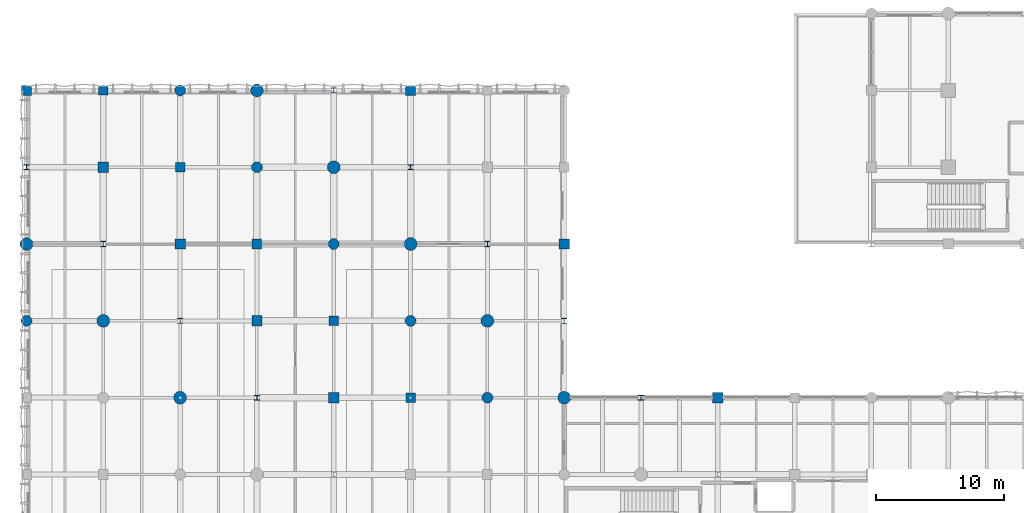
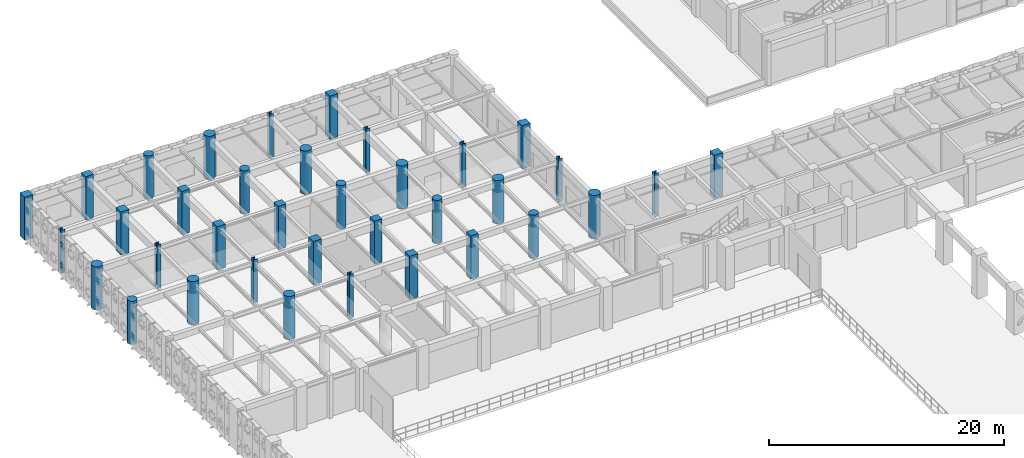
# One storey, part 9 of 133: 36 columns.
"""IFC4 building model written with IfcOpenShell, lengths in metres."""

from ifc_helpers import new_model, si_unit, direction, frame, origin, origin_2d, place, context, subcontext, project, spatial, rectangle, circle, i_section, extrude, material, material_profile, profile_set, type_object, element, save


model = new_model("IFC4")

# Units and contexts
model_context = context("Model", 3, precision=1e-05, world=origin(), true_north=direction((0.0, 1.0)))
body_context = subcontext(model_context, "Body", "Model", "MODEL_VIEW")
ifc_project = project(units=[si_unit("LENGTHUNIT", "METRE"), si_unit("AREAUNIT", "SQUARE_METRE"), si_unit("VOLUMEUNIT", "CUBIC_METRE"), si_unit("PLANEANGLEUNIT", "RADIAN"), si_unit("MASSUNIT", "GRAM", prefix="KILO"), si_unit("THERMODYNAMICTEMPERATUREUNIT", "KELVIN"), si_unit("POWERUNIT", "WATT")], contexts=[model_context])

# Site, building, storey
site_placement = place(None, origin())
site = spatial("IfcSite", under=ifc_project, at=site_placement, CompositionType="ELEMENT")
building_placement = place(site_placement, origin())
building = spatial("IfcBuilding", under=site, at=building_placement, Name="Phaisarnlok Congress Hotel", CompositionType="ELEMENT")
storey_placement = place(building_placement, frame((0.0, 0.0, 6.0)))
storey = spatial("IfcBuildingStorey", under=building, at=storey_placement, Name="L01", CompositionType="ELEMENT", Elevation=6.0)

# Columns
ifc_material_1 = material(Name="Concrete C50/60", Category="concrete")
ifc_material_profile_1 = material_profile(ifc_material_1, rectangle(XDim=0.75, YDim=0.75, at=origin_2d()), Name="RC 750x750")
ifc_profile_set_1 = profile_set([ifc_material_profile_1], Name="Concrete C50/60")
column_type_1 = type_object("IfcColumnType", Name="COL-RC-750", PredefinedType="COLUMN", material=ifc_profile_set_1)
for number, where, z_axis, x_axis, name in (
    (1, (6.0, 120.0, 0.0), (0.0, 0.0, 1.0), (1.0, 0.0, 0.0), "Column C-06 (L01)"),
    (2, (12.0, 114.0, 0.0), (0.0, 0.0, 1.0), (1.0, 0.0, 0.0), "Column C-06 (L01)"),
    (3, (18.0, 108.0, 0.0), (0.0, 0.0, 1.0), (1.0, 0.0, 0.0), "Column C-06 (L01)"),
    (4, (24.0, 102.0, 0.0), (0.0, 0.0, 1.0), (1.0, 0.0, 0.0), "Column C-06 (L01)"),
    (5, (30.0, 96.0, 0.0), (0.0, 0.0, 1.0), (1.0, 0.0, 0.0), "Column C-06 (L01)"),
):
    element("IfcColumn", number, at=place(storey_placement, frame(where, z_axis=z_axis, x_axis=x_axis)), inside=storey, type_object=column_type_1, Name=name, PredefinedType="COLUMN", context=body_context, shape_type="SweptSolid", body=[
        extrude(rectangle(XDim=0.75, YDim=0.75, at=origin_2d()), origin(), (0.0, 0.0, 1.0), 4.5),
    ])
ifc_material_profile_2 = material_profile(ifc_material_1, rectangle(XDim=0.800048828125, YDim=0.800048828125, at=origin_2d()), Name="RC 800x800")
ifc_profile_set_2 = profile_set([ifc_material_profile_2], Name="Concrete C50/60")
column_type_2 = type_object("IfcColumnType", Name="COL-RC-800", PredefinedType="COLUMN", material=ifc_profile_set_2)
for number, where, z_axis, x_axis, name in (
    (6, (6.0, 114.0, 0.0), (0.0, 0.0, 1.0), (1.0, 0.0, 0.0), "Column C-07 (L01)"),
    (7, (12.0, 108.0, 0.0), (0.0, 0.0, 1.0), (1.0, 0.0, 0.0), "Column C-07 (L01)"),
    (8, (18.0, 102.0, 0.0), (0.0, 0.0, 1.0), (1.0, 0.0, 0.0), "Column C-07 (L01)"),
    (9, (24.0, 96.0, 0.0), (0.0, 0.0, 1.0), (1.0, 0.0, 0.0), "Column C-07 (L01)"),
    (10, (30.0, 120.0, 0.0), (0.0, 0.0, 1.0), (1.0, 0.0, 0.0), "Column C-07 (L01)"),
    (11, (42.0, 108.0, 0.0), (0.0, 0.0, 1.0), (1.0, 0.0, 0.0), "Column C-07 (L01)"),
    (12, (54.0, 96.0, 0.0), (0.0, 0.0, 1.0), (1.0, 0.0, 0.0), "Column C-07 (L01)"),
):
    element("IfcColumn", number, at=place(storey_placement, frame(where, z_axis=z_axis, x_axis=x_axis)), inside=storey, type_object=column_type_2, Name=name, PredefinedType="COLUMN", context=body_context, shape_type="SweptSolid", body=[
        extrude(rectangle(XDim=0.800048828125, YDim=0.800048828125, at=origin_2d()), origin(), (0.0, 0.0, 1.0), 4.5),
    ])
ifc_material_profile_3 = material_profile(ifc_material_1, rectangle(XDim=0.800048828125, YDim=0.800048828125, at=origin_2d()), Name="RC 800x800")
ifc_profile_set_3 = profile_set([ifc_material_profile_3], Name="Concrete C50/60")
column_type_3 = type_object("IfcColumnType", Name="COL-RC-800-EXT", PredefinedType="COLUMN", material=ifc_profile_set_3)
column_1_placement = place(storey_placement, frame((0.0, 120.0, 0.0), z_axis=(0.0, 0.0, 1.0), x_axis=(1.0, 0.0, 0.0)))
element("IfcColumn", 13, at=column_1_placement, inside=storey, type_object=column_type_3, Name="Column C-07E (L01)", PredefinedType="COLUMN", context=body_context, shape_type="SweptSolid", body=[
    extrude(rectangle(XDim=0.800048828125, YDim=0.800048828125, at=origin_2d()), origin(), (0.0, 0.0, 1.0), 4.5),
])
ifc_material_profile_4 = material_profile(ifc_material_1, circle(Radius=0.5, at=origin_2d()), Name="RCC D1000")
ifc_profile_set_4 = profile_set([ifc_material_profile_4], Name="Concrete C50/60")
column_type_4 = type_object("IfcColumnType", Name="COL-RCC-1000", PredefinedType="COLUMN", material=ifc_profile_set_4)
for number, where, z_axis, x_axis, name in (
    (14, (6.0, 102.0, 0.0), (0.0, 0.0, 1.0), (1.0, 0.0, 0.0), "Column C-15 (L01)"),
    (15, (12.0, 96.0, 0.0), (0.0, 0.0, 1.0), (1.0, 0.0, 0.0), "Column C-15 (L01)"),
    (16, (18.0, 120.0, 0.0), (0.0, 0.0, 1.0), (1.0, 0.0, 0.0), "Column C-15 (L01)"),
    (17, (24.0, 114.0, 0.0), (0.0, 0.0, 1.0), (1.0, 0.0, 0.0), "Column C-15 (L01)"),
    (18, (30.0, 108.0, 0.0), (0.0, 0.0, 1.0), (1.0, 0.0, 0.0), "Column C-15 (L01)"),
    (19, (36.0, 102.0, 0.0), (0.0, 0.0, 1.0), (1.0, 0.0, 0.0), "Column C-15 (L01)"),
    (20, (42.0, 96.0, 0.0), (0.0, 0.0, 1.0), (1.0, 0.0, 0.0), "Column C-15 (L01)"),
):
    element("IfcColumn", number, at=place(storey_placement, frame(where, z_axis=z_axis, x_axis=x_axis)), inside=storey, type_object=column_type_4, Name=name, PredefinedType="COLUMN", context=body_context, shape_type="SweptSolid", body=[
        extrude(circle(Radius=0.5, at=origin_2d()), origin(), (0.0, 0.0, 1.0), 4.5),
    ])
ifc_material_profile_5 = material_profile(ifc_material_1, circle(Radius=0.5, at=origin_2d()), Name="RCC D1000")
ifc_profile_set_5 = profile_set([ifc_material_profile_5], Name="Concrete C50/60")
column_type_5 = type_object("IfcColumnType", Name="COL-RCC-1000-EXT", PredefinedType="COLUMN", material=ifc_profile_set_5)
column_2_placement = place(storey_placement, frame((0.0, 108.0, 0.0), z_axis=(0.0, 0.0, 1.0), x_axis=(1.0, 0.0, 0.0)))
element("IfcColumn", 21, at=column_2_placement, inside=storey, type_object=column_type_5, Name="Column C-15E (L01)", PredefinedType="COLUMN", context=body_context, shape_type="SweptSolid", body=[
    extrude(circle(Radius=0.5, at=origin_2d()), origin(), (0.0, 0.0, 1.0), 4.5),
])
ifc_material_profile_6 = material_profile(ifc_material_1, circle(Radius=0.425048828125, at=origin_2d()), Name="RCC D850")
ifc_profile_set_6 = profile_set([ifc_material_profile_6], Name="Concrete C50/60")
column_type_6 = type_object("IfcColumnType", Name="COL-RCC-850", PredefinedType="COLUMN", material=ifc_profile_set_6)
for number, where, z_axis, x_axis, name in (
    (22, (12.0, 120.0, 0.0), (0.0, 0.0, 1.0), (1.0, 0.0, 0.0), "Column C-14 (L01)"),
    (23, (18.0, 114.0, 0.0), (0.0, 0.0, 1.0), (1.0, 0.0, 0.0), "Column C-14 (L01)"),
    (24, (24.0, 108.0, 0.0), (0.0, 0.0, 1.0), (1.0, 0.0, 0.0), "Column C-14 (L01)"),
    (25, (30.0, 102.0, 0.0), (0.0, 0.0, 1.0), (1.0, 0.0, 0.0), "Column C-14 (L01)"),
    (26, (36.0, 96.0, 0.0), (0.0, 0.0, 1.0), (1.0, 0.0, 0.0), "Column C-14 (L01)"),
):
    element("IfcColumn", number, at=place(storey_placement, frame(where, z_axis=z_axis, x_axis=x_axis)), inside=storey, type_object=column_type_6, Name=name, PredefinedType="COLUMN", context=body_context, shape_type="SweptSolid", body=[
        extrude(circle(Radius=0.425048828125, at=origin_2d()), origin(), (0.0, 0.0, 1.0), 4.5),
    ])
ifc_material_profile_7 = material_profile(ifc_material_1, circle(Radius=0.425048828125, at=origin_2d()), Name="RCC D850")
ifc_profile_set_7 = profile_set([ifc_material_profile_7], Name="Concrete C50/60")
column_type_7 = type_object("IfcColumnType", Name="COL-RCC-850-EXT", PredefinedType="COLUMN", material=ifc_profile_set_7)
column_3_placement = place(storey_placement, frame((0.0, 102.0, 0.0), z_axis=(0.0, 0.0, 1.0), x_axis=(1.0, 0.0, 0.0)))
element("IfcColumn", 27, at=column_3_placement, inside=storey, type_object=column_type_7, Name="Column C-14E (L01)", PredefinedType="COLUMN", context=body_context, shape_type="SweptSolid", body=[
    extrude(circle(Radius=0.425048828125, at=origin_2d()), origin(), (0.0, 0.0, 1.0), 4.5),
])
ifc_material_2 = material(Name="Steel S355", Category="steel")
ifc_material_profile_8 = material_profile(ifc_material_2, i_section(OverallWidth=0.40087890625, OverallDepth=0.39892578125, WebThickness=0.0185546875, FlangeThickness=0.030029296875, FilletRadius=0.014892578125, at=origin_2d()), Name="HD 400x314")
ifc_profile_set_8 = profile_set([ifc_material_profile_8], Name="Steel S355")
column_type_8 = type_object("IfcColumnType", Name="COL-STL-HD314", PredefinedType="COLUMN", material=ifc_profile_set_8)
for number, where, z_axis, x_axis, name in (
    (28, (6.0, 108.0, 0.0), (0.0, 0.0, 1.0), (1.0, 0.0, 0.0), "Column SC-04 (L01)"),
    (29, (12.0, 102.0, 0.0), (0.0, 0.0, 1.0), (1.0, 0.0, 0.0), "Column SC-04 (L01)"),
    (30, (18.0, 96.0, 0.0), (0.0, 0.0, 1.0), (1.0, 0.0, 0.0), "Column SC-04 (L01)"),
    (31, (24.0, 120.0, 0.0), (0.0, 0.0, 1.0), (1.0, 0.0, 0.0), "Column SC-04 (L01)"),
    (32, (30.0, 114.0, 0.0), (0.0, 0.0, 1.0), (1.0, 0.0, 0.0), "Column SC-04 (L01)"),
    (33, (36.0, 108.0, 0.0), (0.0, 0.0, 1.0), (1.0, 0.0, 0.0), "Column SC-04 (L01)"),
    (34, (42.0, 102.0, 0.0), (0.0, 0.0, 1.0), (1.0, 0.0, 0.0), "Column SC-04 (L01)"),
    (35, (48.0, 96.0, 0.0), (0.0, 0.0, 1.0), (1.0, 0.0, 0.0), "Column SC-04 (L01)"),
):
    element("IfcColumn", number, at=place(storey_placement, frame(where, z_axis=z_axis, x_axis=x_axis)), inside=storey, type_object=column_type_8, Name=name, PredefinedType="COLUMN", context=body_context, shape_type="SweptSolid", body=[
        extrude(i_section(OverallWidth=0.40087890625, OverallDepth=0.39892578125, WebThickness=0.0185546875, FlangeThickness=0.030029296875, FilletRadius=0.014892578125, at=origin_2d()), origin(), (0.0, 0.0, 1.0), 4.5),
    ])
ifc_material_profile_9 = material_profile(ifc_material_2, i_section(OverallWidth=0.40087890625, OverallDepth=0.39892578125, WebThickness=0.0185546875, FlangeThickness=0.030029296875, FilletRadius=0.014892578125, at=origin_2d()), Name="HD 400x314")
ifc_profile_set_9 = profile_set([ifc_material_profile_9], Name="Steel S355")
column_type_9 = type_object("IfcColumnType", Name="COL-STL-HD314-EXT", PredefinedType="COLUMN", material=ifc_profile_set_9)
column_4_placement = place(storey_placement, frame((0.0, 114.0, 0.0), z_axis=(0.0, 0.0, 1.0), x_axis=(1.0, 0.0, 0.0)))
element("IfcColumn", 36, at=column_4_placement, inside=storey, type_object=column_type_9, Name="Column SC-04E (L01)", PredefinedType="COLUMN", context=body_context, shape_type="SweptSolid", body=[
    extrude(i_section(OverallWidth=0.40087890625, OverallDepth=0.39892578125, WebThickness=0.0185546875, FlangeThickness=0.030029296875, FilletRadius=0.014892578125, at=origin_2d()), origin(), (0.0, 0.0, 1.0), 4.5),
])

save(model, "model.ifc")
